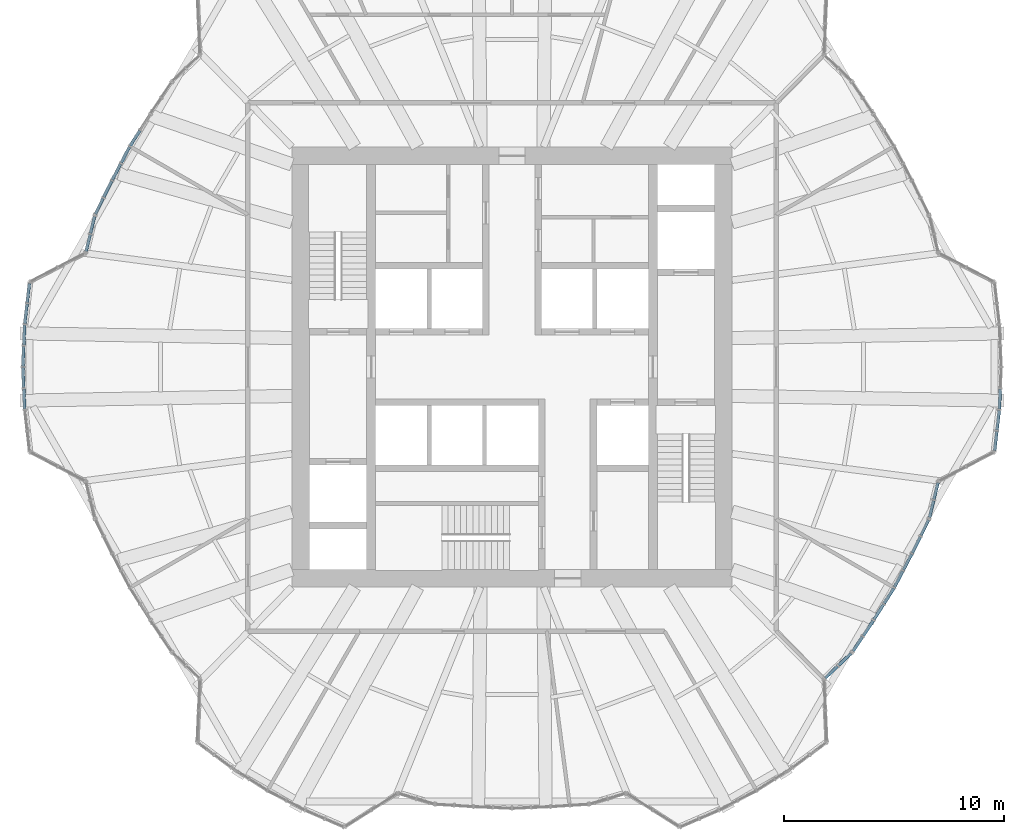
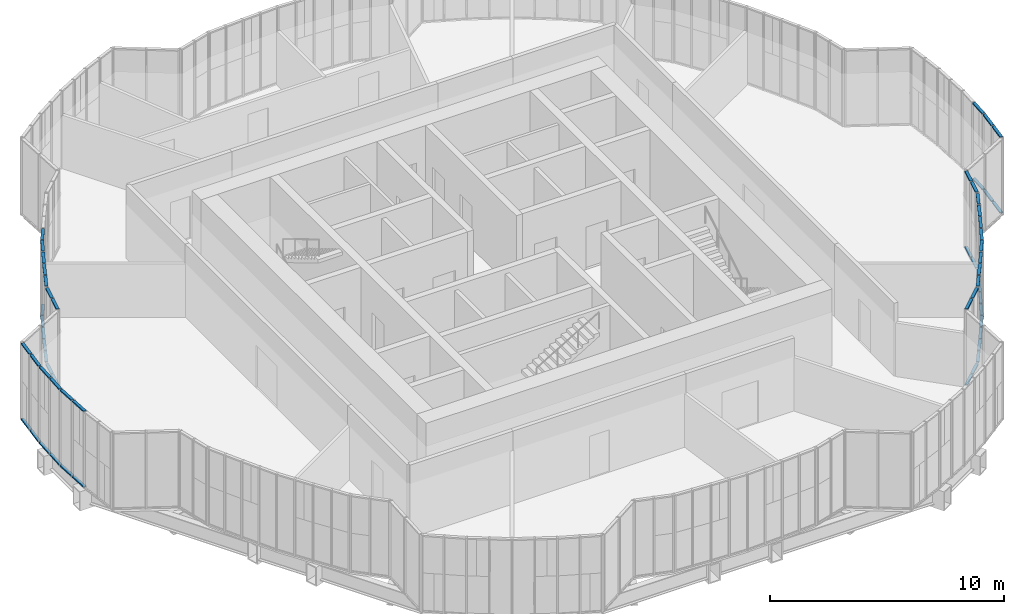
# One storey, part 10 of 24: 56 members, 15 elements without a shape of their own.
"""IFC4 building model written with IfcOpenShell, lengths in metres."""

from ifc_helpers import new_model, si_unit, direction, frame, origin, origin_2d, place, context, subcontext, project, spatial, rectangle, extrude, material, material_profile, profile_set, type_object, element, aggregate, save


model = new_model("IFC4")

# Units and contexts
model_context = context("Model", 3, precision=1e-05, world=origin(), true_north=direction((0.0, 1.0)))
body_context = subcontext(model_context, "Body", "Model", "MODEL_VIEW")
ifc_project = project(units=[si_unit("LENGTHUNIT", "METRE"), si_unit("AREAUNIT", "SQUARE_METRE"), si_unit("VOLUMEUNIT", "CUBIC_METRE"), si_unit("PLANEANGLEUNIT", "RADIAN"), si_unit("MASSUNIT", "GRAM", prefix="KILO")], contexts=[model_context])

# Site, building, storey
site_placement = place(None, origin())
site = spatial("IfcSite", under=ifc_project, at=site_placement, CompositionType="ELEMENT")
building_placement = place(site_placement, origin())
building = spatial("IfcBuilding", under=site, at=building_placement, Name="Golbaran Civic Tower", CompositionType="ELEMENT")
storey_placement = place(building_placement, frame((0.0, 0.0, 25.0)))
storey = spatial("IfcBuildingStorey", under=building, at=storey_placement, Name="L05", CompositionType="ELEMENT", Elevation=25.0)

# Curtain wall, members
ifc_material_1 = material(Name="Aluminium and glass", Category="aluminium")
curtain_wall_type = type_object("IfcCurtainWallType", Name="INNER SKIN CURTAIN WALL", PredefinedType="NOTDEFINED", material=ifc_material_1)
curtain_wall_1_placement = place(storey_placement, origin())
curtain_wall_1 = element("IfcCurtainWall", 1, at=curtain_wall_1_placement, inside=storey, type_object=curtain_wall_type, Name="Inner skin L05 facet 30 CW1", ObjectType="INNER SKIN", PredefinedType="USERDEFINED")
ifc_material_2 = material(Name="Aluminium", Category="aluminium")
ifc_material_profile = material_profile(ifc_material_2, rectangle(XDim=0.139892578125, YDim=0.06494140625, at=origin_2d()), Name="INNER SKIN CURTAIN WALL TRANSOM")
ifc_profile_set = profile_set([ifc_material_profile], Name="Aluminium")
member_type = type_object("IfcMemberType", Name="INNER SKIN CURTAIN WALL TRANSOM", PredefinedType="USERDEFINED", material=ifc_profile_set)
member_1_placement = place(storey_placement, frame((-16.908935546875, 10.733642578125, 0.032470703125), z_axis=(-0.537246297661, -0.843425406097, 0.0), x_axis=(0.843425406097, -0.537246297661, 0.0)))
member_1 = element("IfcMember", 2, at=member_1_placement, type_object=member_type, Name="CW1 transom 2.1", ObjectType="TRANSOM", PredefinedType="USERDEFINED", context=body_context, shape_type="SweptSolid", body=[
    extrude(rectangle(XDim=0.139892578125, YDim=0.06494140625, at=origin_2d()), origin(), (0.0, 0.0, 1.0), 0.809326171875),
])
member_2_placement = place(storey_placement, frame((-16.908935546875, 10.733642578125, 3.967529296875), z_axis=(-0.537246297661, -0.843425406097, 0.0), x_axis=(0.843425406097, -0.537246297661, 0.0)))
member_2 = element("IfcMember", 3, at=member_2_placement, type_object=member_type, Name="CW1 transom 2.2", ObjectType="TRANSOM", PredefinedType="USERDEFINED", context=body_context, shape_type="SweptSolid", body=[
    extrude(rectangle(XDim=0.139892578125, YDim=0.06494140625, at=origin_2d()), origin(), (0.0, 0.0, 1.0), 0.809326171875),
])
aggregate(curtain_wall_1, [member_1, member_2])

curtain_wall_2_placement = place(storey_placement, origin())
curtain_wall_2 = element("IfcCurtainWall", 4, at=curtain_wall_2_placement, inside=storey, type_object=curtain_wall_type, Name="Inner skin L05 facet 31 CW1", ObjectType="INNER SKIN", PredefinedType="USERDEFINED")
member_3_placement = place(storey_placement, frame((-17.376220703125, 9.99462890625, 0.032470703125), z_axis=(-0.461751533004, -0.887009313237, 0.0), x_axis=(0.887009313237, -0.461751533004, 0.0)))
member_3 = element("IfcMember", 5, at=member_3_placement, type_object=member_type, Name="CW1 transom 1.1", ObjectType="TRANSOM", PredefinedType="USERDEFINED", context=body_context, shape_type="SweptSolid", body=[
    extrude(rectangle(XDim=0.139892578125, YDim=0.06494140625, at=origin_2d()), origin(), (0.0, 0.0, 1.0), 0.8095703125),
])
member_4_placement = place(storey_placement, frame((-17.376220703125, 9.99462890625, 3.967529296875), z_axis=(-0.461751533004, -0.887009313237, 0.0), x_axis=(0.887009313237, -0.461751533004, 0.0)))
member_4 = element("IfcMember", 6, at=member_4_placement, type_object=member_type, Name="CW1 transom 1.2", ObjectType="TRANSOM", PredefinedType="USERDEFINED", context=body_context, shape_type="SweptSolid", body=[
    extrude(rectangle(XDim=0.139892578125, YDim=0.06494140625, at=origin_2d()), origin(), (0.0, 0.0, 1.0), 0.8095703125),
])
member_5_placement = place(storey_placement, frame((-17.780029296875, 9.218994140625, 0.032470703125), z_axis=(-0.461751533004, -0.887009313237, 0.0), x_axis=(0.887009313237, -0.461751533004, 0.0)))
member_5 = element("IfcMember", 7, at=member_5_placement, type_object=member_type, Name="CW1 transom 2.1", ObjectType="TRANSOM", PredefinedType="USERDEFINED", context=body_context, shape_type="SweptSolid", body=[
    extrude(rectangle(XDim=0.139892578125, YDim=0.06494140625, at=origin_2d()), origin(), (0.0, 0.0, 1.0), 0.8095703125),
])
member_6_placement = place(storey_placement, frame((-17.780029296875, 9.218994140625, 3.967529296875), z_axis=(-0.461751533004, -0.887009313237, 0.0), x_axis=(0.887009313237, -0.461751533004, 0.0)))
member_6 = element("IfcMember", 8, at=member_6_placement, type_object=member_type, Name="CW1 transom 2.2", ObjectType="TRANSOM", PredefinedType="USERDEFINED", context=body_context, shape_type="SweptSolid", body=[
    extrude(rectangle(XDim=0.139892578125, YDim=0.06494140625, at=origin_2d()), origin(), (0.0, 0.0, 1.0), 0.8095703125),
])
aggregate(curtain_wall_2, [member_3, member_4, member_5, member_6])

curtain_wall_3_placement = place(storey_placement, origin())
curtain_wall_3 = element("IfcCurtainWall", 9, at=curtain_wall_3_placement, inside=storey, type_object=curtain_wall_type, Name="Inner skin L05 facet 32 CW1", ObjectType="INNER SKIN", PredefinedType="USERDEFINED")
member_7_placement = place(storey_placement, frame((-18.18310546875, 8.443115234375, 0.032470703125), z_axis=(-0.444452384099, -0.895802477262, 0.0), x_axis=(0.895802477262, -0.444452384099, 0.0)))
member_7 = element("IfcMember", 10, at=member_7_placement, type_object=member_type, Name="CW1 transom 1.1", ObjectType="TRANSOM", PredefinedType="USERDEFINED", context=body_context, shape_type="SweptSolid", body=[
    extrude(rectangle(XDim=0.139892578125, YDim=0.06494140625, at=origin_2d()), origin(), (0.0, 0.0, 1.0), 0.81396484375),
])
member_8_placement = place(storey_placement, frame((-18.18310546875, 8.443115234375, 3.967529296875), z_axis=(-0.444452384099, -0.895802477262, 0.0), x_axis=(0.895802477262, -0.444452384099, 0.0)))
member_8 = element("IfcMember", 11, at=member_8_placement, type_object=member_type, Name="CW1 transom 1.2", ObjectType="TRANSOM", PredefinedType="USERDEFINED", context=body_context, shape_type="SweptSolid", body=[
    extrude(rectangle(XDim=0.139892578125, YDim=0.06494140625, at=origin_2d()), origin(), (0.0, 0.0, 1.0), 0.81396484375),
])
member_9_placement = place(storey_placement, frame((-18.57373046875, 7.655517578125, 0.032470703125), z_axis=(-0.44421218096, -0.895921613919, 0.0), x_axis=(0.895921613919, -0.44421218096, 0.0)))
member_9 = element("IfcMember", 12, at=member_9_placement, type_object=member_type, Name="CW1 transom 2.1", ObjectType="TRANSOM", PredefinedType="USERDEFINED", context=body_context, shape_type="SweptSolid", body=[
    extrude(rectangle(XDim=0.139892578125, YDim=0.06494140625, at=origin_2d()), origin(), (0.0, 0.0, 1.0), 0.781494140625),
])
member_10_placement = place(storey_placement, frame((-18.57373046875, 7.655517578125, 3.967529296875), z_axis=(-0.44421218096, -0.895921613919, 0.0), x_axis=(0.895921613919, -0.44421218096, 0.0)))
member_10 = element("IfcMember", 13, at=member_10_placement, type_object=member_type, Name="CW1 transom 2.2", ObjectType="TRANSOM", PredefinedType="USERDEFINED", context=body_context, shape_type="SweptSolid", body=[
    extrude(rectangle(XDim=0.139892578125, YDim=0.06494140625, at=origin_2d()), origin(), (0.0, 0.0, 1.0), 0.781494140625),
])
aggregate(curtain_wall_3, [member_7, member_8, member_9, member_10])

curtain_wall_4_placement = place(storey_placement, origin())
curtain_wall_4 = element("IfcCurtainWall", 14, at=curtain_wall_4_placement, inside=storey, type_object=curtain_wall_type, Name="Inner skin L05 facet 33 CW1", ObjectType="INNER SKIN", PredefinedType="USERDEFINED")
member_11_placement = place(storey_placement, frame((-18.965087890625, 6.833984375, 0.032470703125), z_axis=(-0.235546378815, -0.971863109407, 0.0), x_axis=(0.971863109407, -0.235546378815, 0.0)))
member_11 = element("IfcMember", 15, at=member_11_placement, type_object=member_type, Name="CW1 transom 1.1", ObjectType="TRANSOM", PredefinedType="USERDEFINED", context=body_context, shape_type="SweptSolid", body=[
    extrude(rectangle(XDim=0.139892578125, YDim=0.06494140625, at=origin_2d()), origin(), (0.0, 0.0, 1.0), 0.781494140625),
])
member_12_placement = place(storey_placement, frame((-18.965087890625, 6.833984375, 3.967529296875), z_axis=(-0.235546378815, -0.971863109407, 0.0), x_axis=(0.971863109407, -0.235546378815, 0.0)))
member_12 = element("IfcMember", 16, at=member_12_placement, type_object=member_type, Name="CW1 transom 1.2", ObjectType="TRANSOM", PredefinedType="USERDEFINED", context=body_context, shape_type="SweptSolid", body=[
    extrude(rectangle(XDim=0.139892578125, YDim=0.06494140625, at=origin_2d()), origin(), (0.0, 0.0, 1.0), 0.781494140625),
])
member_13_placement = place(storey_placement, frame((-19.16455078125, 6.01123046875, 0.032470703125), z_axis=(-0.235546378815, -0.971863109407, 0.0), x_axis=(0.971863109407, -0.235546378815, 0.0)))
member_13 = element("IfcMember", 17, at=member_13_placement, type_object=member_type, Name="CW1 transom 2.1", ObjectType="TRANSOM", PredefinedType="USERDEFINED", context=body_context, shape_type="SweptSolid", body=[
    extrude(rectangle(XDim=0.139892578125, YDim=0.06494140625, at=origin_2d()), origin(), (0.0, 0.0, 1.0), 0.781494140625),
])
member_14_placement = place(storey_placement, frame((-19.16455078125, 6.01123046875, 3.967529296875), z_axis=(-0.235546378815, -0.971863109407, 0.0), x_axis=(0.971863109407, -0.235546378815, 0.0)))
member_14 = element("IfcMember", 18, at=member_14_placement, type_object=member_type, Name="CW1 transom 2.2", ObjectType="TRANSOM", PredefinedType="USERDEFINED", context=body_context, shape_type="SweptSolid", body=[
    extrude(rectangle(XDim=0.139892578125, YDim=0.06494140625, at=origin_2d()), origin(), (0.0, 0.0, 1.0), 0.781494140625),
])
aggregate(curtain_wall_4, [member_11, member_12, member_13, member_14])

curtain_wall_5_placement = place(storey_placement, origin())
curtain_wall_5 = element("IfcCurtainWall", 19, at=curtain_wall_5_placement, inside=storey, type_object=curtain_wall_type, Name="Inner skin L05 facet 35 CW1", ObjectType="INNER SKIN", PredefinedType="USERDEFINED")
member_15_placement = place(storey_placement, frame((-21.92138671875, 3.799560546875, 0.032470703125), z_axis=(-0.114698436008, -0.993400356743, 0.0), x_axis=(0.993400356743, -0.114698436008, 0.0)))
member_15 = element("IfcMember", 20, at=member_15_placement, type_object=member_type, Name="CW1 transom 1.1", ObjectType="TRANSOM", PredefinedType="USERDEFINED", context=body_context, shape_type="SweptSolid", body=[
    extrude(rectangle(XDim=0.139892578125, YDim=0.06494140625, at=origin_2d()), origin(), (0.0, 0.0, 1.0), 0.872802734375),
])
member_16_placement = place(storey_placement, frame((-21.92138671875, 3.799560546875, 3.967529296875), z_axis=(-0.114698436008, -0.993400356743, 0.0), x_axis=(0.993400356743, -0.114698436008, 0.0)))
member_16 = element("IfcMember", 21, at=member_16_placement, type_object=member_type, Name="CW1 transom 1.2", ObjectType="TRANSOM", PredefinedType="USERDEFINED", context=body_context, shape_type="SweptSolid", body=[
    extrude(rectangle(XDim=0.139892578125, YDim=0.06494140625, at=origin_2d()), origin(), (0.0, 0.0, 1.0), 0.872802734375),
])
member_17_placement = place(storey_placement, frame((-22.02880859375, 2.8681640625, 0.032470703125), z_axis=(-0.11490051684, -0.993377003574, 0.0), x_axis=(0.993377003574, -0.11490051684, 0.0)))
member_17 = element("IfcMember", 22, at=member_17_placement, type_object=member_type, Name="CW1 transom 2.1", ObjectType="TRANSOM", PredefinedType="USERDEFINED", context=body_context, shape_type="SweptSolid", body=[
    extrude(rectangle(XDim=0.139892578125, YDim=0.06494140625, at=origin_2d()), origin(), (0.0, 0.0, 1.0), 0.9052734375),
])
member_18_placement = place(storey_placement, frame((-22.02880859375, 2.8681640625, 3.967529296875), z_axis=(-0.11490051684, -0.993377003574, 0.0), x_axis=(0.993377003574, -0.11490051684, 0.0)))
member_18 = element("IfcMember", 23, at=member_18_placement, type_object=member_type, Name="CW1 transom 2.2", ObjectType="TRANSOM", PredefinedType="USERDEFINED", context=body_context, shape_type="SweptSolid", body=[
    extrude(rectangle(XDim=0.139892578125, YDim=0.06494140625, at=origin_2d()), origin(), (0.0, 0.0, 1.0), 0.9052734375),
])
aggregate(curtain_wall_5, [member_15, member_16, member_17, member_18])

curtain_wall_6_placement = place(storey_placement, origin())
curtain_wall_6 = element("IfcCurtainWall", 24, at=curtain_wall_6_placement, inside=storey, type_object=curtain_wall_type, Name="Inner skin L05 facet 36 CW1", ObjectType="INNER SKIN", PredefinedType="USERDEFINED")
member_19_placement = place(storey_placement, frame((-22.137939453125, 1.904296875, 0.032470703125), z_axis=(-0.043460653188, -0.999055139431, 0.0), x_axis=(0.999055139431, -0.043460653188, 0.0)))
member_19 = element("IfcMember", 25, at=member_19_placement, type_object=member_type, Name="CW1 transom 1.1", ObjectType="TRANSOM", PredefinedType="USERDEFINED", context=body_context, shape_type="SweptSolid", body=[
    extrude(rectangle(XDim=0.139892578125, YDim=0.06494140625, at=origin_2d()), origin(), (0.0, 0.0, 1.0), 0.904541015625),
])
member_20_placement = place(storey_placement, frame((-22.137939453125, 1.904296875, 3.967529296875), z_axis=(-0.043460653188, -0.999055139431, 0.0), x_axis=(0.999055139431, -0.043460653188, 0.0)))
member_20 = element("IfcMember", 26, at=member_20_placement, type_object=member_type, Name="CW1 transom 1.2", ObjectType="TRANSOM", PredefinedType="USERDEFINED", context=body_context, shape_type="SweptSolid", body=[
    extrude(rectangle(XDim=0.139892578125, YDim=0.06494140625, at=origin_2d()), origin(), (0.0, 0.0, 1.0), 0.904541015625),
])
member_21_placement = place(storey_placement, frame((-22.18017578125, 0.935791015625, 0.032470703125), z_axis=(-0.043472377115, -0.999054629351, 0.0), x_axis=(0.999054629351, -0.043472377115, 0.0)))
member_21 = element("IfcMember", 27, at=member_21_placement, type_object=member_type, Name="CW1 transom 2.1", ObjectType="TRANSOM", PredefinedType="USERDEFINED", context=body_context, shape_type="SweptSolid", body=[
    extrude(rectangle(XDim=0.139892578125, YDim=0.06494140625, at=origin_2d()), origin(), (0.0, 0.0, 1.0), 0.904296875),
])
member_22_placement = place(storey_placement, frame((-22.18017578125, 0.935791015625, 3.967529296875), z_axis=(-0.043472377115, -0.999054629351, 0.0), x_axis=(0.999054629351, -0.043472377115, 0.0)))
member_22 = element("IfcMember", 28, at=member_22_placement, type_object=member_type, Name="CW1 transom 2.2", ObjectType="TRANSOM", PredefinedType="USERDEFINED", context=body_context, shape_type="SweptSolid", body=[
    extrude(rectangle(XDim=0.139892578125, YDim=0.06494140625, at=origin_2d()), origin(), (0.0, 0.0, 1.0), 0.904296875),
])
aggregate(curtain_wall_6, [member_19, member_20, member_21, member_22])

curtain_wall_7_placement = place(storey_placement, origin())
curtain_wall_7 = element("IfcCurtainWall", 29, at=curtain_wall_7_placement, inside=storey, type_object=curtain_wall_type, Name="Inner skin L05 facet 37 CW1", ObjectType="INNER SKIN", PredefinedType="USERDEFINED")
member_23_placement = place(storey_placement, frame((-22.219482421875, -0.032470703125, 0.032470703125), z_axis=(0.043472377115, -0.999054629351, 0.0), x_axis=(0.999054629351, 0.043472377115, 0.0)))
member_23 = element("IfcMember", 30, at=member_23_placement, type_object=member_type, Name="CW1 transom 1.1", ObjectType="TRANSOM", PredefinedType="USERDEFINED", context=body_context, shape_type="SweptSolid", body=[
    extrude(rectangle(XDim=0.139892578125, YDim=0.06494140625, at=origin_2d()), origin(), (0.0, 0.0, 1.0), 0.904296875),
])
member_24_placement = place(storey_placement, frame((-22.219482421875, -0.032470703125, 3.967529296875), z_axis=(0.043472377115, -0.999054629351, 0.0), x_axis=(0.999054629351, 0.043472377115, 0.0)))
member_24 = element("IfcMember", 31, at=member_24_placement, type_object=member_type, Name="CW1 transom 1.2", ObjectType="TRANSOM", PredefinedType="USERDEFINED", context=body_context, shape_type="SweptSolid", body=[
    extrude(rectangle(XDim=0.139892578125, YDim=0.06494140625, at=origin_2d()), origin(), (0.0, 0.0, 1.0), 0.904296875),
])
member_25_placement = place(storey_placement, frame((-22.17724609375, -1.000732421875, 0.032470703125), z_axis=(0.043460653188, -0.999055139431, 0.0), x_axis=(0.999055139431, 0.043460653188, 0.0)))
member_25 = element("IfcMember", 32, at=member_25_placement, type_object=member_type, Name="CW1 transom 2.1", ObjectType="TRANSOM", PredefinedType="USERDEFINED", context=body_context, shape_type="SweptSolid", body=[
    extrude(rectangle(XDim=0.139892578125, YDim=0.06494140625, at=origin_2d()), origin(), (0.0, 0.0, 1.0), 0.904541015625),
])
member_26_placement = place(storey_placement, frame((-22.17724609375, -1.000732421875, 3.967529296875), z_axis=(0.043460653188, -0.999055139431, 0.0), x_axis=(0.999055139431, 0.043460653188, 0.0)))
member_26 = element("IfcMember", 33, at=member_26_placement, type_object=member_type, Name="CW1 transom 2.2", ObjectType="TRANSOM", PredefinedType="USERDEFINED", context=body_context, shape_type="SweptSolid", body=[
    extrude(rectangle(XDim=0.139892578125, YDim=0.06494140625, at=origin_2d()), origin(), (0.0, 0.0, 1.0), 0.904541015625),
])
aggregate(curtain_wall_7, [member_23, member_24, member_25, member_26])

curtain_wall_8_placement = place(storey_placement, origin())
curtain_wall_8 = element("IfcCurtainWall", 34, at=curtain_wall_8_placement, inside=storey, type_object=curtain_wall_type, Name="Inner skin L05 facet 64 CW1", ObjectType="INNER SKIN", PredefinedType="USERDEFINED")
member_27_placement = place(storey_placement, frame((14.222412109375, -14.130615234375, 0.032470703125), z_axis=(0.72377382553, 0.690037281223, 0.0), x_axis=(-0.690037281223, 0.72377382553, 0.0)))
member_27 = element("IfcMember", 35, at=member_27_placement, type_object=member_type, Name="CW1 transom 1.1", ObjectType="TRANSOM", PredefinedType="USERDEFINED", context=body_context, shape_type="SweptSolid", body=[
    extrude(rectangle(XDim=0.139892578125, YDim=0.06494140625, at=origin_2d()), origin(), (0.0, 0.0, 1.0), 0.781494140625),
])
member_28_placement = place(storey_placement, frame((14.222412109375, -14.130615234375, 3.967529296875), z_axis=(0.72377382553, 0.690037281223, 0.0), x_axis=(-0.690037281223, 0.72377382553, 0.0)))
member_28 = element("IfcMember", 36, at=member_28_placement, type_object=member_type, Name="CW1 transom 1.2", ObjectType="TRANSOM", PredefinedType="USERDEFINED", context=body_context, shape_type="SweptSolid", body=[
    extrude(rectangle(XDim=0.139892578125, YDim=0.06494140625, at=origin_2d()), origin(), (0.0, 0.0, 1.0), 0.781494140625),
])
member_29_placement = place(storey_placement, frame((14.835205078125, -13.54638671875, 0.032470703125), z_axis=(0.723929850594, 0.689873590898, 0.0), x_axis=(-0.689873590898, 0.723929850594, 0.0)))
member_29 = element("IfcMember", 37, at=member_29_placement, type_object=member_type, Name="CW1 transom 2.1", ObjectType="TRANSOM", PredefinedType="USERDEFINED", context=body_context, shape_type="SweptSolid", body=[
    extrude(rectangle(XDim=0.139892578125, YDim=0.06494140625, at=origin_2d()), origin(), (0.0, 0.0, 1.0), 0.781494140625),
])
member_30_placement = place(storey_placement, frame((14.835205078125, -13.54638671875, 3.967529296875), z_axis=(0.723929850594, 0.689873590898, 0.0), x_axis=(-0.689873590898, 0.723929850594, 0.0)))
member_30 = element("IfcMember", 38, at=member_30_placement, type_object=member_type, Name="CW1 transom 2.2", ObjectType="TRANSOM", PredefinedType="USERDEFINED", context=body_context, shape_type="SweptSolid", body=[
    extrude(rectangle(XDim=0.139892578125, YDim=0.06494140625, at=origin_2d()), origin(), (0.0, 0.0, 1.0), 0.781494140625),
])
aggregate(curtain_wall_8, [member_27, member_28, member_29, member_30])

curtain_wall_9_placement = place(storey_placement, origin())
curtain_wall_9 = element("IfcCurtainWall", 39, at=curtain_wall_9_placement, inside=storey, type_object=curtain_wall_type, Name="Inner skin L05 facet 65 CW1", ObjectType="INNER SKIN", PredefinedType="USERDEFINED")
member_31_placement = place(storey_placement, frame((15.484130859375, -12.908447265625, 0.032470703125), z_axis=(0.553546241668, 0.8328184426, 0.0), x_axis=(-0.8328184426, 0.553546241668, 0.0)))
member_31 = element("IfcMember", 40, at=member_31_placement, type_object=member_type, Name="CW1 transom 1.1", ObjectType="TRANSOM", PredefinedType="USERDEFINED", context=body_context, shape_type="SweptSolid", body=[
    extrude(rectangle(XDim=0.139892578125, YDim=0.06494140625, at=origin_2d()), origin(), (0.0, 0.0, 1.0), 0.781494140625),
])
member_32_placement = place(storey_placement, frame((15.484130859375, -12.908447265625, 3.967529296875), z_axis=(0.553546241668, 0.8328184426, 0.0), x_axis=(-0.8328184426, 0.553546241668, 0.0)))
member_32 = element("IfcMember", 41, at=member_32_placement, type_object=member_type, Name="CW1 transom 1.2", ObjectType="TRANSOM", PredefinedType="USERDEFINED", context=body_context, shape_type="SweptSolid", body=[
    extrude(rectangle(XDim=0.139892578125, YDim=0.06494140625, at=origin_2d()), origin(), (0.0, 0.0, 1.0), 0.781494140625),
])
member_33_placement = place(storey_placement, frame((15.952880859375, -12.203369140625, 0.032470703125), z_axis=(0.553730710474, 0.832695802966, 0.0), x_axis=(-0.832695802966, 0.553730710474, 0.0)))
member_33 = element("IfcMember", 42, at=member_33_placement, type_object=member_type, Name="CW1 transom 2.1", ObjectType="TRANSOM", PredefinedType="USERDEFINED", context=body_context, shape_type="SweptSolid", body=[
    extrude(rectangle(XDim=0.139892578125, YDim=0.06494140625, at=origin_2d()), origin(), (0.0, 0.0, 1.0), 0.81396484375),
])
member_34_placement = place(storey_placement, frame((15.952880859375, -12.203369140625, 3.967529296875), z_axis=(0.553730710474, 0.832695802966, 0.0), x_axis=(-0.832695802966, 0.553730710474, 0.0)))
member_34 = element("IfcMember", 43, at=member_34_placement, type_object=member_type, Name="CW1 transom 2.2", ObjectType="TRANSOM", PredefinedType="USERDEFINED", context=body_context, shape_type="SweptSolid", body=[
    extrude(rectangle(XDim=0.139892578125, YDim=0.06494140625, at=origin_2d()), origin(), (0.0, 0.0, 1.0), 0.81396484375),
])
aggregate(curtain_wall_9, [member_31, member_32, member_33, member_34])

curtain_wall_10_placement = place(storey_placement, origin())
curtain_wall_10 = element("IfcCurtainWall", 44, at=curtain_wall_10_placement, inside=storey, type_object=curtain_wall_type, Name="Inner skin L05 facet 66 CW1", ObjectType="INNER SKIN", PredefinedType="USERDEFINED")
member_35_placement = place(storey_placement, frame((16.43896484375, -11.47119140625, 0.032470703125), z_axis=(0.537324161916, 0.843375802962, 0.0), x_axis=(-0.843375802962, 0.537324161916, 0.0)))
member_35 = element("IfcMember", 45, at=member_35_placement, type_object=member_type, Name="CW1 transom 1.1", ObjectType="TRANSOM", PredefinedType="USERDEFINED", context=body_context, shape_type="SweptSolid", body=[
    extrude(rectangle(XDim=0.139892578125, YDim=0.06494140625, at=origin_2d()), origin(), (0.0, 0.0, 1.0), 0.8095703125),
])
member_36_placement = place(storey_placement, frame((16.43896484375, -11.47119140625, 3.967529296875), z_axis=(0.537324161916, 0.843375802962, 0.0), x_axis=(-0.843375802962, 0.537324161916, 0.0)))
member_36 = element("IfcMember", 46, at=member_36_placement, type_object=member_type, Name="CW1 transom 1.2", ObjectType="TRANSOM", PredefinedType="USERDEFINED", context=body_context, shape_type="SweptSolid", body=[
    extrude(rectangle(XDim=0.139892578125, YDim=0.06494140625, at=origin_2d()), origin(), (0.0, 0.0, 1.0), 0.8095703125),
])
member_37_placement = place(storey_placement, frame((16.908935546875, -10.733642578125, 0.032470703125), z_axis=(0.537246297661, 0.843425406097, 0.0), x_axis=(-0.843425406097, 0.537246297661, 0.0)))
member_37 = element("IfcMember", 47, at=member_37_placement, type_object=member_type, Name="CW1 transom 2.1", ObjectType="TRANSOM", PredefinedType="USERDEFINED", context=body_context, shape_type="SweptSolid", body=[
    extrude(rectangle(XDim=0.139892578125, YDim=0.06494140625, at=origin_2d()), origin(), (0.0, 0.0, 1.0), 0.809326171875),
])
member_38_placement = place(storey_placement, frame((16.908935546875, -10.733642578125, 3.967529296875), z_axis=(0.537246297661, 0.843425406097, 0.0), x_axis=(-0.843425406097, 0.537246297661, 0.0)))
member_38 = element("IfcMember", 48, at=member_38_placement, type_object=member_type, Name="CW1 transom 2.2", ObjectType="TRANSOM", PredefinedType="USERDEFINED", context=body_context, shape_type="SweptSolid", body=[
    extrude(rectangle(XDim=0.139892578125, YDim=0.06494140625, at=origin_2d()), origin(), (0.0, 0.0, 1.0), 0.809326171875),
])
aggregate(curtain_wall_10, [member_35, member_36, member_37, member_38])

curtain_wall_11_placement = place(storey_placement, origin())
curtain_wall_11 = element("IfcCurtainWall", 49, at=curtain_wall_11_placement, inside=storey, type_object=curtain_wall_type, Name="Inner skin L05 facet 67 CW1", ObjectType="INNER SKIN", PredefinedType="USERDEFINED")
member_39_placement = place(storey_placement, frame((17.376220703125, -9.99462890625, 0.032470703125), z_axis=(0.461751533004, 0.887009313237, 0.0), x_axis=(-0.887009313237, 0.461751533004, 0.0)))
member_39 = element("IfcMember", 50, at=member_39_placement, type_object=member_type, Name="CW1 transom 1.1", ObjectType="TRANSOM", PredefinedType="USERDEFINED", context=body_context, shape_type="SweptSolid", body=[
    extrude(rectangle(XDim=0.139892578125, YDim=0.06494140625, at=origin_2d()), origin(), (0.0, 0.0, 1.0), 0.8095703125),
])
member_40_placement = place(storey_placement, frame((17.376220703125, -9.99462890625, 3.967529296875), z_axis=(0.461751533004, 0.887009313237, 0.0), x_axis=(-0.887009313237, 0.461751533004, 0.0)))
member_40 = element("IfcMember", 51, at=member_40_placement, type_object=member_type, Name="CW1 transom 1.2", ObjectType="TRANSOM", PredefinedType="USERDEFINED", context=body_context, shape_type="SweptSolid", body=[
    extrude(rectangle(XDim=0.139892578125, YDim=0.06494140625, at=origin_2d()), origin(), (0.0, 0.0, 1.0), 0.8095703125),
])
member_41_placement = place(storey_placement, frame((17.780029296875, -9.218994140625, 0.032470703125), z_axis=(0.461751533004, 0.887009313237, 0.0), x_axis=(-0.887009313237, 0.461751533004, 0.0)))
member_41 = element("IfcMember", 52, at=member_41_placement, type_object=member_type, Name="CW1 transom 2.1", ObjectType="TRANSOM", PredefinedType="USERDEFINED", context=body_context, shape_type="SweptSolid", body=[
    extrude(rectangle(XDim=0.139892578125, YDim=0.06494140625, at=origin_2d()), origin(), (0.0, 0.0, 1.0), 0.8095703125),
])
member_42_placement = place(storey_placement, frame((17.780029296875, -9.218994140625, 3.967529296875), z_axis=(0.461751533004, 0.887009313237, 0.0), x_axis=(-0.887009313237, 0.461751533004, 0.0)))
member_42 = element("IfcMember", 53, at=member_42_placement, type_object=member_type, Name="CW1 transom 2.2", ObjectType="TRANSOM", PredefinedType="USERDEFINED", context=body_context, shape_type="SweptSolid", body=[
    extrude(rectangle(XDim=0.139892578125, YDim=0.06494140625, at=origin_2d()), origin(), (0.0, 0.0, 1.0), 0.8095703125),
])
aggregate(curtain_wall_11, [member_39, member_40, member_41, member_42])

curtain_wall_12_placement = place(storey_placement, origin())
curtain_wall_12 = element("IfcCurtainWall", 54, at=curtain_wall_12_placement, inside=storey, type_object=curtain_wall_type, Name="Inner skin L05 facet 68 CW1", ObjectType="INNER SKIN", PredefinedType="USERDEFINED")
member_43_placement = place(storey_placement, frame((18.18310546875, -8.443115234375, 0.032470703125), z_axis=(0.444452384099, 0.895802477262, 0.0), x_axis=(-0.895802477262, 0.444452384099, 0.0)))
member_43 = element("IfcMember", 55, at=member_43_placement, type_object=member_type, Name="CW1 transom 1.1", ObjectType="TRANSOM", PredefinedType="USERDEFINED", context=body_context, shape_type="SweptSolid", body=[
    extrude(rectangle(XDim=0.139892578125, YDim=0.06494140625, at=origin_2d()), origin(), (0.0, 0.0, 1.0), 0.81396484375),
])
member_44_placement = place(storey_placement, frame((18.18310546875, -8.443115234375, 3.967529296875), z_axis=(0.444452384099, 0.895802477262, 0.0), x_axis=(-0.895802477262, 0.444452384099, 0.0)))
member_44 = element("IfcMember", 56, at=member_44_placement, type_object=member_type, Name="CW1 transom 1.2", ObjectType="TRANSOM", PredefinedType="USERDEFINED", context=body_context, shape_type="SweptSolid", body=[
    extrude(rectangle(XDim=0.139892578125, YDim=0.06494140625, at=origin_2d()), origin(), (0.0, 0.0, 1.0), 0.81396484375),
])
member_45_placement = place(storey_placement, frame((18.57373046875, -7.655517578125, 0.032470703125), z_axis=(0.44421218096, 0.895921613919, 0.0), x_axis=(-0.895921613919, 0.44421218096, 0.0)))
member_45 = element("IfcMember", 57, at=member_45_placement, type_object=member_type, Name="CW1 transom 2.1", ObjectType="TRANSOM", PredefinedType="USERDEFINED", context=body_context, shape_type="SweptSolid", body=[
    extrude(rectangle(XDim=0.139892578125, YDim=0.06494140625, at=origin_2d()), origin(), (0.0, 0.0, 1.0), 0.781494140625),
])
member_46_placement = place(storey_placement, frame((18.57373046875, -7.655517578125, 3.967529296875), z_axis=(0.44421218096, 0.895921613919, 0.0), x_axis=(-0.895921613919, 0.44421218096, 0.0)))
member_46 = element("IfcMember", 58, at=member_46_placement, type_object=member_type, Name="CW1 transom 2.2", ObjectType="TRANSOM", PredefinedType="USERDEFINED", context=body_context, shape_type="SweptSolid", body=[
    extrude(rectangle(XDim=0.139892578125, YDim=0.06494140625, at=origin_2d()), origin(), (0.0, 0.0, 1.0), 0.781494140625),
])
aggregate(curtain_wall_12, [member_43, member_44, member_45, member_46])

curtain_wall_13_placement = place(storey_placement, origin())
curtain_wall_13 = element("IfcCurtainWall", 59, at=curtain_wall_13_placement, inside=storey, type_object=curtain_wall_type, Name="Inner skin L05 facet 69 CW1", ObjectType="INNER SKIN", PredefinedType="USERDEFINED")
member_47_placement = place(storey_placement, frame((18.965087890625, -6.833984375, 0.032470703125), z_axis=(0.235546378815, 0.971863109407, 0.0), x_axis=(-0.971863109407, 0.235546378815, 0.0)))
member_47 = element("IfcMember", 60, at=member_47_placement, type_object=member_type, Name="CW1 transom 1.1", ObjectType="TRANSOM", PredefinedType="USERDEFINED", context=body_context, shape_type="SweptSolid", body=[
    extrude(rectangle(XDim=0.139892578125, YDim=0.06494140625, at=origin_2d()), origin(), (0.0, 0.0, 1.0), 0.781494140625),
])
member_48_placement = place(storey_placement, frame((18.965087890625, -6.833984375, 3.967529296875), z_axis=(0.235546378815, 0.971863109407, 0.0), x_axis=(-0.971863109407, 0.235546378815, 0.0)))
member_48 = element("IfcMember", 61, at=member_48_placement, type_object=member_type, Name="CW1 transom 1.2", ObjectType="TRANSOM", PredefinedType="USERDEFINED", context=body_context, shape_type="SweptSolid", body=[
    extrude(rectangle(XDim=0.139892578125, YDim=0.06494140625, at=origin_2d()), origin(), (0.0, 0.0, 1.0), 0.781494140625),
])
member_49_placement = place(storey_placement, frame((19.16455078125, -6.01123046875, 0.032470703125), z_axis=(0.235546378815, 0.971863109407, 0.0), x_axis=(-0.971863109407, 0.235546378815, 0.0)))
member_49 = element("IfcMember", 62, at=member_49_placement, type_object=member_type, Name="CW1 transom 2.1", ObjectType="TRANSOM", PredefinedType="USERDEFINED", context=body_context, shape_type="SweptSolid", body=[
    extrude(rectangle(XDim=0.139892578125, YDim=0.06494140625, at=origin_2d()), origin(), (0.0, 0.0, 1.0), 0.781494140625),
])
member_50_placement = place(storey_placement, frame((19.16455078125, -6.01123046875, 3.967529296875), z_axis=(0.235546378815, 0.971863109407, 0.0), x_axis=(-0.971863109407, 0.235546378815, 0.0)))
member_50 = element("IfcMember", 63, at=member_50_placement, type_object=member_type, Name="CW1 transom 2.2", ObjectType="TRANSOM", PredefinedType="USERDEFINED", context=body_context, shape_type="SweptSolid", body=[
    extrude(rectangle(XDim=0.139892578125, YDim=0.06494140625, at=origin_2d()), origin(), (0.0, 0.0, 1.0), 0.781494140625),
])
aggregate(curtain_wall_13, [member_47, member_48, member_49, member_50])

curtain_wall_14_placement = place(storey_placement, origin())
curtain_wall_14 = element("IfcCurtainWall", 64, at=curtain_wall_14_placement, inside=storey, type_object=curtain_wall_type, Name="Inner skin L05 facet 71 CW1", ObjectType="INNER SKIN", PredefinedType="USERDEFINED")
member_51_placement = place(storey_placement, frame((21.92138671875, -3.799560546875, 0.032470703125), z_axis=(0.114698436008, 0.993400356743, 0.0), x_axis=(-0.993400356743, 0.114698436008, 0.0)))
member_51 = element("IfcMember", 65, at=member_51_placement, type_object=member_type, Name="CW1 transom 1.1", ObjectType="TRANSOM", PredefinedType="USERDEFINED", context=body_context, shape_type="SweptSolid", body=[
    extrude(rectangle(XDim=0.139892578125, YDim=0.06494140625, at=origin_2d()), origin(), (0.0, 0.0, 1.0), 0.872802734375),
])
member_52_placement = place(storey_placement, frame((21.92138671875, -3.799560546875, 3.967529296875), z_axis=(0.114698436008, 0.993400356743, 0.0), x_axis=(-0.993400356743, 0.114698436008, 0.0)))
member_52 = element("IfcMember", 66, at=member_52_placement, type_object=member_type, Name="CW1 transom 1.2", ObjectType="TRANSOM", PredefinedType="USERDEFINED", context=body_context, shape_type="SweptSolid", body=[
    extrude(rectangle(XDim=0.139892578125, YDim=0.06494140625, at=origin_2d()), origin(), (0.0, 0.0, 1.0), 0.872802734375),
])
member_53_placement = place(storey_placement, frame((22.02880859375, -2.8681640625, 0.032470703125), z_axis=(0.11490051684, 0.993377003574, 0.0), x_axis=(-0.993377003574, 0.11490051684, 0.0)))
member_53 = element("IfcMember", 67, at=member_53_placement, type_object=member_type, Name="CW1 transom 2.1", ObjectType="TRANSOM", PredefinedType="USERDEFINED", context=body_context, shape_type="SweptSolid", body=[
    extrude(rectangle(XDim=0.139892578125, YDim=0.06494140625, at=origin_2d()), origin(), (0.0, 0.0, 1.0), 0.9052734375),
])
member_54_placement = place(storey_placement, frame((22.02880859375, -2.8681640625, 3.967529296875), z_axis=(0.11490051684, 0.993377003574, 0.0), x_axis=(-0.993377003574, 0.11490051684, 0.0)))
member_54 = element("IfcMember", 68, at=member_54_placement, type_object=member_type, Name="CW1 transom 2.2", ObjectType="TRANSOM", PredefinedType="USERDEFINED", context=body_context, shape_type="SweptSolid", body=[
    extrude(rectangle(XDim=0.139892578125, YDim=0.06494140625, at=origin_2d()), origin(), (0.0, 0.0, 1.0), 0.9052734375),
])
aggregate(curtain_wall_14, [member_51, member_52, member_53, member_54])

curtain_wall_15_placement = place(storey_placement, origin())
curtain_wall_15 = element("IfcCurtainWall", 69, at=curtain_wall_15_placement, inside=storey, type_object=curtain_wall_type, Name="Inner skin L05 facet 72 CW1", ObjectType="INNER SKIN", PredefinedType="USERDEFINED")
member_55_placement = place(storey_placement, frame((22.137939453125, -1.904296875, 0.032470703125), z_axis=(0.043460653188, 0.999055139431, 0.0), x_axis=(-0.999055139431, 0.043460653188, 0.0)))
member_55 = element("IfcMember", 70, at=member_55_placement, type_object=member_type, Name="CW1 transom 1.1", ObjectType="TRANSOM", PredefinedType="USERDEFINED", context=body_context, shape_type="SweptSolid", body=[
    extrude(rectangle(XDim=0.139892578125, YDim=0.06494140625, at=origin_2d()), origin(), (0.0, 0.0, 1.0), 0.904541015625),
])
member_56_placement = place(storey_placement, frame((22.137939453125, -1.904296875, 3.967529296875), z_axis=(0.043460653188, 0.999055139431, 0.0), x_axis=(-0.999055139431, 0.043460653188, 0.0)))
member_56 = element("IfcMember", 71, at=member_56_placement, type_object=member_type, Name="CW1 transom 1.2", ObjectType="TRANSOM", PredefinedType="USERDEFINED", context=body_context, shape_type="SweptSolid", body=[
    extrude(rectangle(XDim=0.139892578125, YDim=0.06494140625, at=origin_2d()), origin(), (0.0, 0.0, 1.0), 0.904541015625),
])
aggregate(curtain_wall_15, [member_55, member_56])

save(model, "model.ifc")
